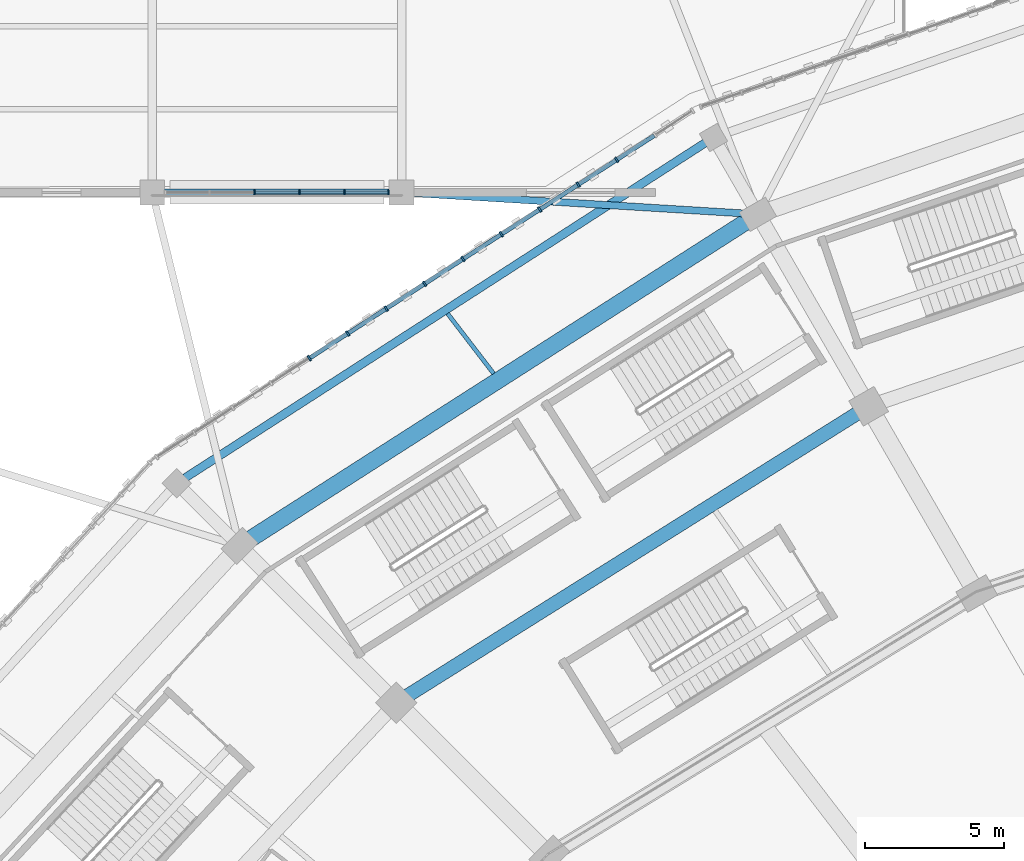
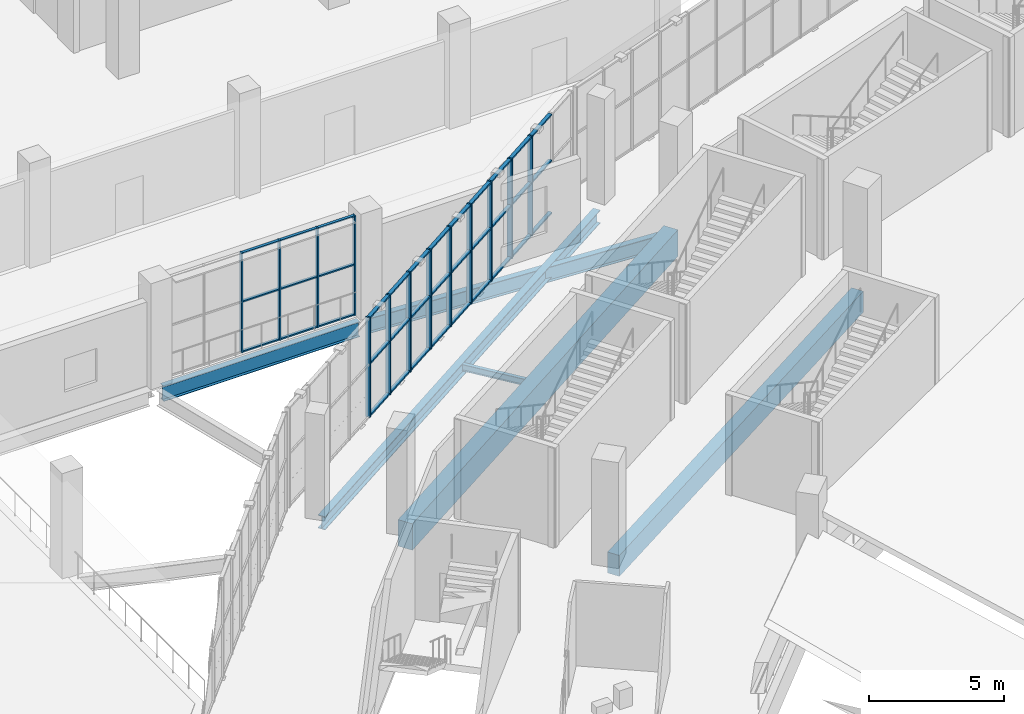
# One storey, part 48 of 183: 49 members, 6 beams, 2 elements without a shape of their own.
"""IFC4 building model written with IfcOpenShell, lengths in metres."""

from ifc_helpers import new_model, si_unit, direction, frame, origin, origin_2d, place, context, subcontext, project, spatial, rectangle, i_section, extrude, material, material_profile, profile_set, type_object, element, aggregate, save


model = new_model("IFC4")

# Units and contexts
model_context = context("Model", 3, precision=1e-05, world=origin(), true_north=direction((0.0, 1.0)))
body_context = subcontext(model_context, "Body", "Model", "MODEL_VIEW")
ifc_project = project(units=[si_unit("LENGTHUNIT", "METRE"), si_unit("AREAUNIT", "SQUARE_METRE"), si_unit("VOLUMEUNIT", "CUBIC_METRE"), si_unit("PLANEANGLEUNIT", "RADIAN"), si_unit("MASSUNIT", "GRAM", prefix="KILO")], contexts=[model_context])

# Site, building, storey
site_placement = place(None, origin())
site = spatial("IfcSite", under=ifc_project, at=site_placement, CompositionType="ELEMENT")
building_placement = place(site_placement, origin())
building = spatial("IfcBuilding", under=site, at=building_placement, Name="Zevraka Park Crest Stadium", CompositionType="ELEMENT")
storey_placement = place(building_placement, frame((0.0, 0.0, 5.39990234375)))
storey = spatial("IfcBuildingStorey", under=building, at=storey_placement, Name="L01", CompositionType="ELEMENT", Elevation=5.39990234375)

# Beams
ifc_material_1 = material(Name="Steel S355", Category="steel")
ifc_material_profile_1 = material_profile(ifc_material_1, i_section(OverallWidth=0.253662109375, OverallDepth=0.68359375, WebThickness=0.012451171875, FlangeThickness=0.01904296875, at=origin_2d()), Name="UKB 686x254x140")
ifc_profile_set_1 = profile_set([ifc_material_profile_1], Name="Steel S355")
beam_type_1 = type_object("IfcBeamType", Name="BG05", PredefinedType="BEAM", material=ifc_profile_set_1)
beam_1_placement = place(storey_placement, frame((45.300048828125, 158.0, -0.649658203125), z_axis=(1.0, 0.0, 0.0), x_axis=(0.0, 1.0, 0.0)))
element("IfcBeam", 1, at=beam_1_placement, inside=storey, type_object=beam_type_1, Name="Wing Girder BG05 L01-67/T", PredefinedType="BEAM", context=body_context, shape_type="SweptSolid", body=[
    extrude(i_section(OverallWidth=0.253662109375, OverallDepth=0.68359375, WebThickness=0.012451171875, FlangeThickness=0.01904296875, at=origin_2d()), origin(), (0.0, 0.0, 1.0), 8.39990234375),
])
beam_2_placement = place(storey_placement, frame((54.199951171875, 157.988037109375, -0.649658203125), z_axis=(0.998122867072, -0.061243303531, 0.0), x_axis=(0.061243303531, 0.998122867072, 0.0)))
element("IfcBeam", 2, at=beam_2_placement, inside=storey, type_object=beam_type_1, Name="Wing Link Girder BG05 L01-7/T", PredefinedType="BEAM", context=body_context, shape_type="SweptSolid", body=[
    extrude(i_section(OverallWidth=0.253662109375, OverallDepth=0.68359375, WebThickness=0.012451171875, FlangeThickness=0.01904296875, at=origin_2d()), origin(), (0.0, 0.0, 1.0), 12.294189453125),
])

# Curtain wall, members
ifc_material_2 = material(Name="Anodised architectural aluminium and laminated safety glass", Category="aluminium")
curtain_wall_type_1 = type_object("IfcCurtainWallType", Name="CW28", PredefinedType="NOTDEFINED", material=ifc_material_2)
curtain_wall_1_placement = place(storey_placement, origin())
curtain_wall_1 = element("IfcCurtainWall", 3, at=curtain_wall_1_placement, inside=storey, type_object=curtain_wall_type_1, Name="Wing Curtain Wall CW28 L01-NW-VER1-2", PredefinedType="NOTDEFINED")
ifc_material_3 = material(Name="Anodised architectural aluminium", Category="aluminium")
ifc_material_profile_2 = material_profile(ifc_material_3, rectangle(XDim=0.159912109375, YDim=0.06005859375, at=origin_2d()), Name="ALU MULLION 160x60")
ifc_profile_set_2 = profile_set([ifc_material_profile_2], Name="Anodised architectural aluminium")
member_type_1 = type_object("IfcMemberType", Name="CM01", PredefinedType="MULLION", material=ifc_profile_set_2)
member_1_placement = place(storey_placement, frame((53.530029296875, 158.0, 0.0), z_axis=(0.0, 0.0, 1.0), x_axis=(0.0, -1.0, 0.0)))
member_1 = element("IfcMember", 4, at=member_1_placement, type_object=member_type_1, Name="CW28 mullion 1", PredefinedType="MULLION", context=body_context, shape_type="SweptSolid", body=[
    extrude(rectangle(XDim=0.159912109375, YDim=0.06005859375, at=origin_2d()), origin(), (0.0, 0.0, 1.0), 4.52001953125),
])
member_2_placement = place(storey_placement, frame((51.93603515625, 158.0, 0.0), z_axis=(0.0, 0.0, 1.0), x_axis=(0.0, -1.0, 0.0)))
member_2 = element("IfcMember", 5, at=member_2_placement, type_object=member_type_1, Name="CW28 mullion 2", PredefinedType="MULLION", context=body_context, shape_type="SweptSolid", body=[
    extrude(rectangle(XDim=0.159912109375, YDim=0.06005859375, at=origin_2d()), origin(), (0.0, 0.0, 1.0), 4.52001953125),
])
member_3_placement = place(storey_placement, frame((50.31201171875, 158.0, 0.0), z_axis=(0.0, 0.0, 1.0), x_axis=(0.0, -1.0, 0.0)))
member_3 = element("IfcMember", 6, at=member_3_placement, type_object=member_type_1, Name="CW28 mullion 3", PredefinedType="MULLION", context=body_context, shape_type="SweptSolid", body=[
    extrude(rectangle(XDim=0.159912109375, YDim=0.06005859375, at=origin_2d()), origin(), (0.0, 0.0, 1.0), 4.52001953125),
])
member_4_placement = place(storey_placement, frame((48.68798828125, 158.0, 0.0), z_axis=(0.0, 0.0, 1.0), x_axis=(0.0, -1.0, 0.0)))
member_4 = element("IfcMember", 7, at=member_4_placement, type_object=member_type_1, Name="CW28 mullion 4", PredefinedType="MULLION", context=body_context, shape_type="SweptSolid", body=[
    extrude(rectangle(XDim=0.159912109375, YDim=0.06005859375, at=origin_2d()), origin(), (0.0, 0.0, 1.0), 4.52001953125),
])

ifc_material_4 = material(Name="Anodised architectural aluminium and laminated safety glass", Category="aluminium")
curtain_wall_type_2 = type_object("IfcCurtainWallType", Name="CW03", PredefinedType="NOTDEFINED", material=ifc_material_4)
curtain_wall_2_placement = place(storey_placement, origin())
curtain_wall_2 = element("IfcCurtainWall", 8, at=curtain_wall_2_placement, inside=storey, type_object=curtain_wall_type_2, Name="Unitised Ring Curtain Wall CW03 L01-08", PredefinedType="NOTDEFINED")
ifc_material_5 = material(Name="Anodised architectural aluminium", Category="aluminium")
ifc_material_profile_3 = material_profile(ifc_material_5, rectangle(XDim=0.199951171875, YDim=0.070068359375, at=origin_2d()), Name="ALU MULLION 200x70")
ifc_profile_set_3 = profile_set([ifc_material_profile_3], Name="Anodised architectural aluminium")
member_type_2 = type_object("IfcMemberType", Name="CM03", PredefinedType="MULLION", material=ifc_profile_set_3)
member_5_placement = place(storey_placement, frame((61.754638671875, 159.176025390625, 0.0), z_axis=(0.0, 0.0, 1.0), x_axis=(0.542570628938, -0.840010186018, 0.0)))
member_5 = element("IfcMember", 9, at=member_5_placement, type_object=member_type_2, Name="CW03 mullion 3", PredefinedType="MULLION", context=body_context, shape_type="SweptSolid", body=[
    extrude(rectangle(XDim=0.199951171875, YDim=0.070068359375, at=origin_2d()), origin(), (0.0, 0.0, 1.0), 4.52001953125),
])
member_6_placement = place(storey_placement, frame((60.369140625, 158.281005859375, 0.0), z_axis=(0.0, 0.0, 1.0), x_axis=(0.542570628938, -0.840010186018, 0.0)))
member_6 = element("IfcMember", 10, at=member_6_placement, type_object=member_type_2, Name="CW03 mullion 4", PredefinedType="MULLION", context=body_context, shape_type="SweptSolid", body=[
    extrude(rectangle(XDim=0.199951171875, YDim=0.070068359375, at=origin_2d()), origin(), (0.0, 0.0, 1.0), 4.52001953125),
])
member_7_placement = place(storey_placement, frame((58.9833984375, 157.385986328125, 0.0), z_axis=(0.0, 0.0, 1.0), x_axis=(0.542570628938, -0.840010186018, 0.0)))
member_7 = element("IfcMember", 11, at=member_7_placement, type_object=member_type_2, Name="CW03 mullion 5", PredefinedType="MULLION", context=body_context, shape_type="SweptSolid", body=[
    extrude(rectangle(XDim=0.199951171875, YDim=0.070068359375, at=origin_2d()), origin(), (0.0, 0.0, 1.0), 4.52001953125),
])
member_8_placement = place(storey_placement, frame((57.597900390625, 156.490966796875, 0.0), z_axis=(0.0, 0.0, 1.0), x_axis=(0.542570628938, -0.840010186018, 0.0)))
member_8 = element("IfcMember", 12, at=member_8_placement, type_object=member_type_2, Name="CW03 mullion 6", PredefinedType="MULLION", context=body_context, shape_type="SweptSolid", body=[
    extrude(rectangle(XDim=0.199951171875, YDim=0.070068359375, at=origin_2d()), origin(), (0.0, 0.0, 1.0), 4.52001953125),
])
member_9_placement = place(storey_placement, frame((56.212158203125, 155.595947265625, 0.0), z_axis=(0.0, 0.0, 1.0), x_axis=(0.542570628938, -0.840010186018, 0.0)))
member_9 = element("IfcMember", 13, at=member_9_placement, type_object=member_type_2, Name="CW03 mullion 7", PredefinedType="MULLION", context=body_context, shape_type="SweptSolid", body=[
    extrude(rectangle(XDim=0.199951171875, YDim=0.070068359375, at=origin_2d()), origin(), (0.0, 0.0, 1.0), 4.52001953125),
])
member_10_placement = place(storey_placement, frame((54.826416015625, 154.700927734375, 0.0), z_axis=(0.0, 0.0, 1.0), x_axis=(0.542570628938, -0.840010186018, 0.0)))
member_10 = element("IfcMember", 14, at=member_10_placement, type_object=member_type_2, Name="CW03 mullion 8", PredefinedType="MULLION", context=body_context, shape_type="SweptSolid", body=[
    extrude(rectangle(XDim=0.199951171875, YDim=0.070068359375, at=origin_2d()), origin(), (0.0, 0.0, 1.0), 4.52001953125),
])
member_11_placement = place(storey_placement, frame((53.44091796875, 153.805908203125, 0.0), z_axis=(0.0, 0.0, 1.0), x_axis=(0.542570628938, -0.840010186018, 0.0)))
member_11 = element("IfcMember", 15, at=member_11_placement, type_object=member_type_2, Name="CW03 mullion 9", PredefinedType="MULLION", context=body_context, shape_type="SweptSolid", body=[
    extrude(rectangle(XDim=0.199951171875, YDim=0.070068359375, at=origin_2d()), origin(), (0.0, 0.0, 1.0), 4.52001953125),
])
member_12_placement = place(storey_placement, frame((52.05517578125, 152.910888671875, 0.0), z_axis=(0.0, 0.0, 1.0), x_axis=(0.542570628938, -0.840010186018, 0.0)))
member_12 = element("IfcMember", 16, at=member_12_placement, type_object=member_type_2, Name="CW03 mullion 10", PredefinedType="MULLION", context=body_context, shape_type="SweptSolid", body=[
    extrude(rectangle(XDim=0.199951171875, YDim=0.070068359375, at=origin_2d()), origin(), (0.0, 0.0, 1.0), 4.52001953125),
])
member_13_placement = place(storey_placement, frame((50.669677734375, 152.01611328125, 0.0), z_axis=(0.0, 0.0, 1.0), x_axis=(0.542570628938, -0.840010186018, 0.0)))
member_13 = element("IfcMember", 17, at=member_13_placement, type_object=member_type_2, Name="CW03 mullion 11", PredefinedType="MULLION", context=body_context, shape_type="SweptSolid", body=[
    extrude(rectangle(XDim=0.199951171875, YDim=0.070068359375, at=origin_2d()), origin(), (0.0, 0.0, 1.0), 4.52001953125),
])

# Member
ifc_material_6 = material(Name="Anodised architectural aluminium", Category="aluminium")
ifc_material_profile_4 = material_profile(ifc_material_6, rectangle(XDim=0.1201171875, YDim=0.06005859375, at=origin_2d()), Name="ALU TRANSOM 120x60")
ifc_profile_set_4 = profile_set([ifc_material_profile_4], Name="Anodised architectural aluminium")
member_type_3 = type_object("IfcMemberType", Name="CT01", PredefinedType="USERDEFINED", material=ifc_profile_set_4)
member_14_placement = place(storey_placement, frame((53.5, 158.0, 0.030029296875), z_axis=(-1.0, 0.0, 0.0), x_axis=(0.0, -1.0, 0.0)))
member_14 = element("IfcMember", 18, at=member_14_placement, type_object=member_type_3, Name="CW28 transom 1.1", ObjectType="TRANSOM", PredefinedType="USERDEFINED", context=body_context, shape_type="SweptSolid", body=[
    extrude(rectangle(XDim=0.1201171875, YDim=0.06005859375, at=origin_2d()), origin(), (0.0, 0.0, 1.0), 1.533935546875),
])

member_15_placement = place(storey_placement, frame((53.5, 158.0, 2.300048828125), z_axis=(-1.0, 0.0, 0.0), x_axis=(0.0, -1.0, 0.0)))
member_15 = element("IfcMember", 19, at=member_15_placement, type_object=member_type_3, Name="CW28 transom 1.2", ObjectType="TRANSOM", PredefinedType="USERDEFINED", context=body_context, shape_type="SweptSolid", body=[
    extrude(rectangle(XDim=0.1201171875, YDim=0.06005859375, at=origin_2d()), origin(), (0.0, 0.0, 1.0), 1.533935546875),
])

member_16_placement = place(storey_placement, frame((53.5, 158.0, 4.489990234375), z_axis=(-1.0, 0.0, 0.0), x_axis=(0.0, -1.0, 0.0)))
member_16 = element("IfcMember", 20, at=member_16_placement, type_object=member_type_3, Name="CW28 transom 1.3", ObjectType="TRANSOM", PredefinedType="USERDEFINED", context=body_context, shape_type="SweptSolid", body=[
    extrude(rectangle(XDim=0.1201171875, YDim=0.06005859375, at=origin_2d()), origin(), (0.0, 0.0, 1.0), 1.533935546875),
])

member_17_placement = place(storey_placement, frame((51.906005859375, 158.0, 0.030029296875), z_axis=(-1.0, 0.0, 0.0), x_axis=(0.0, -1.0, 0.0)))
member_17 = element("IfcMember", 21, at=member_17_placement, type_object=member_type_3, Name="CW28 transom 2.1", ObjectType="TRANSOM", PredefinedType="USERDEFINED", context=body_context, shape_type="SweptSolid", body=[
    extrude(rectangle(XDim=0.1201171875, YDim=0.06005859375, at=origin_2d()), origin(), (0.0, 0.0, 1.0), 1.56396484375),
])

member_18_placement = place(storey_placement, frame((51.906005859375, 158.0, 2.300048828125), z_axis=(-1.0, 0.0, 0.0), x_axis=(0.0, -1.0, 0.0)))
member_18 = element("IfcMember", 22, at=member_18_placement, type_object=member_type_3, Name="CW28 transom 2.2", ObjectType="TRANSOM", PredefinedType="USERDEFINED", context=body_context, shape_type="SweptSolid", body=[
    extrude(rectangle(XDim=0.1201171875, YDim=0.06005859375, at=origin_2d()), origin(), (0.0, 0.0, 1.0), 1.56396484375),
])

member_19_placement = place(storey_placement, frame((51.906005859375, 158.0, 4.489990234375), z_axis=(-1.0, 0.0, 0.0), x_axis=(0.0, -1.0, 0.0)))
member_19 = element("IfcMember", 23, at=member_19_placement, type_object=member_type_3, Name="CW28 transom 2.3", ObjectType="TRANSOM", PredefinedType="USERDEFINED", context=body_context, shape_type="SweptSolid", body=[
    extrude(rectangle(XDim=0.1201171875, YDim=0.06005859375, at=origin_2d()), origin(), (0.0, 0.0, 1.0), 1.56396484375),
])

member_20_placement = place(storey_placement, frame((50.281982421875, 158.0, 0.030029296875), z_axis=(-1.0, 0.0, 0.0), x_axis=(0.0, -1.0, 0.0)))
member_20 = element("IfcMember", 24, at=member_20_placement, type_object=member_type_3, Name="CW28 transom 3.1", ObjectType="TRANSOM", PredefinedType="USERDEFINED", context=body_context, shape_type="SweptSolid", body=[
    extrude(rectangle(XDim=0.1201171875, YDim=0.06005859375, at=origin_2d()), origin(), (0.0, 0.0, 1.0), 1.56396484375),
])

member_21_placement = place(storey_placement, frame((50.281982421875, 158.0, 2.300048828125), z_axis=(-1.0, 0.0, 0.0), x_axis=(0.0, -1.0, 0.0)))
member_21 = element("IfcMember", 25, at=member_21_placement, type_object=member_type_3, Name="CW28 transom 3.2", ObjectType="TRANSOM", PredefinedType="USERDEFINED", context=body_context, shape_type="SweptSolid", body=[
    extrude(rectangle(XDim=0.1201171875, YDim=0.06005859375, at=origin_2d()), origin(), (0.0, 0.0, 1.0), 1.56396484375),
])

member_22_placement = place(storey_placement, frame((50.281982421875, 158.0, 4.489990234375), z_axis=(-1.0, 0.0, 0.0), x_axis=(0.0, -1.0, 0.0)))
member_22 = element("IfcMember", 26, at=member_22_placement, type_object=member_type_3, Name="CW28 transom 3.3", ObjectType="TRANSOM", PredefinedType="USERDEFINED", context=body_context, shape_type="SweptSolid", body=[
    extrude(rectangle(XDim=0.1201171875, YDim=0.06005859375, at=origin_2d()), origin(), (0.0, 0.0, 1.0), 1.56396484375),
])

aggregate(curtain_wall_1, [member_1, member_2, member_3, member_4, member_14, member_15, member_16, member_17, member_18, member_19, member_20, member_21, member_22])

ifc_material_7 = material(Name="Anodised architectural aluminium", Category="aluminium")
ifc_material_profile_5 = material_profile(ifc_material_7, rectangle(XDim=0.14990234375, YDim=0.070068359375, at=origin_2d()), Name="ALU TRANSOM 150x70")
ifc_profile_set_5 = profile_set([ifc_material_profile_5], Name="Anodised architectural aluminium")
member_type_4 = type_object("IfcMemberType", Name="CT03", PredefinedType="USERDEFINED", material=ifc_profile_set_5)
member_23_placement = place(storey_placement, frame((63.11083984375, 160.052001953125, 0.03515625), z_axis=(-0.840001215359, -0.542584517098, 0.0), x_axis=(0.542584517098, -0.840001215359, 0.0)))
member_23 = element("IfcMember", 27, at=member_23_placement, type_object=member_type_4, Name="CW03 transom 2.1", ObjectType="TRANSOM", PredefinedType="USERDEFINED", context=body_context, shape_type="SweptSolid", body=[
    extrude(rectangle(XDim=0.14990234375, YDim=0.070068359375, at=origin_2d()), origin(), (0.0, 0.0, 1.0), 1.579345703125),
])

member_24_placement = place(storey_placement, frame((63.11083984375, 160.052001953125, 2.400146484375), z_axis=(-0.840001215359, -0.542584517098, 0.0), x_axis=(0.542584517098, -0.840001215359, 0.0)))
member_24 = element("IfcMember", 28, at=member_24_placement, type_object=member_type_4, Name="CW03 transom 2.2", ObjectType="TRANSOM", PredefinedType="USERDEFINED", context=body_context, shape_type="SweptSolid", body=[
    extrude(rectangle(XDim=0.14990234375, YDim=0.070068359375, at=origin_2d()), origin(), (0.0, 0.0, 1.0), 1.579345703125),
])

member_25_placement = place(storey_placement, frame((63.11083984375, 160.052001953125, 4.485107421875), z_axis=(-0.840001215359, -0.542584517098, 0.0), x_axis=(0.542584517098, -0.840001215359, 0.0)))
member_25 = element("IfcMember", 29, at=member_25_placement, type_object=member_type_4, Name="CW03 transom 2.3", ObjectType="TRANSOM", PredefinedType="USERDEFINED", context=body_context, shape_type="SweptSolid", body=[
    extrude(rectangle(XDim=0.14990234375, YDim=0.070068359375, at=origin_2d()), origin(), (0.0, 0.0, 1.0), 1.579345703125),
])

member_26_placement = place(storey_placement, frame((61.725341796875, 159.156982421875, 0.03515625), z_axis=(-0.840046715264, -0.542514070024, 0.0), x_axis=(0.542514070024, -0.840046715264, 0.0)))
member_26 = element("IfcMember", 30, at=member_26_placement, type_object=member_type_4, Name="CW03 transom 3.1", ObjectType="TRANSOM", PredefinedType="USERDEFINED", context=body_context, shape_type="SweptSolid", body=[
    extrude(rectangle(XDim=0.14990234375, YDim=0.070068359375, at=origin_2d()), origin(), (0.0, 0.0, 1.0), 1.57958984375),
])

member_27_placement = place(storey_placement, frame((61.725341796875, 159.156982421875, 2.400146484375), z_axis=(-0.840046715264, -0.542514070024, 0.0), x_axis=(0.542514070024, -0.840046715264, 0.0)))
member_27 = element("IfcMember", 31, at=member_27_placement, type_object=member_type_4, Name="CW03 transom 3.2", ObjectType="TRANSOM", PredefinedType="USERDEFINED", context=body_context, shape_type="SweptSolid", body=[
    extrude(rectangle(XDim=0.14990234375, YDim=0.070068359375, at=origin_2d()), origin(), (0.0, 0.0, 1.0), 1.57958984375),
])

member_28_placement = place(storey_placement, frame((61.725341796875, 159.156982421875, 4.485107421875), z_axis=(-0.840046715264, -0.542514070024, 0.0), x_axis=(0.542514070024, -0.840046715264, 0.0)))
member_28 = element("IfcMember", 32, at=member_28_placement, type_object=member_type_4, Name="CW03 transom 3.3", ObjectType="TRANSOM", PredefinedType="USERDEFINED", context=body_context, shape_type="SweptSolid", body=[
    extrude(rectangle(XDim=0.14990234375, YDim=0.070068359375, at=origin_2d()), origin(), (0.0, 0.0, 1.0), 1.57958984375),
])

member_29_placement = place(storey_placement, frame((60.339599609375, 158.261962890625, 0.03515625), z_axis=(-0.840001215359, -0.542584517098, 0.0), x_axis=(0.542584517098, -0.840001215359, 0.0)))
member_29 = element("IfcMember", 33, at=member_29_placement, type_object=member_type_4, Name="CW03 transom 4.1", ObjectType="TRANSOM", PredefinedType="USERDEFINED", context=body_context, shape_type="SweptSolid", body=[
    extrude(rectangle(XDim=0.14990234375, YDim=0.070068359375, at=origin_2d()), origin(), (0.0, 0.0, 1.0), 1.579345703125),
])

member_30_placement = place(storey_placement, frame((60.339599609375, 158.261962890625, 2.400146484375), z_axis=(-0.840001215359, -0.542584517098, 0.0), x_axis=(0.542584517098, -0.840001215359, 0.0)))
member_30 = element("IfcMember", 34, at=member_30_placement, type_object=member_type_4, Name="CW03 transom 4.2", ObjectType="TRANSOM", PredefinedType="USERDEFINED", context=body_context, shape_type="SweptSolid", body=[
    extrude(rectangle(XDim=0.14990234375, YDim=0.070068359375, at=origin_2d()), origin(), (0.0, 0.0, 1.0), 1.579345703125),
])

member_31_placement = place(storey_placement, frame((60.339599609375, 158.261962890625, 4.485107421875), z_axis=(-0.840001215359, -0.542584517098, 0.0), x_axis=(0.542584517098, -0.840001215359, 0.0)))
member_31 = element("IfcMember", 35, at=member_31_placement, type_object=member_type_4, Name="CW03 transom 4.3", ObjectType="TRANSOM", PredefinedType="USERDEFINED", context=body_context, shape_type="SweptSolid", body=[
    extrude(rectangle(XDim=0.14990234375, YDim=0.070068359375, at=origin_2d()), origin(), (0.0, 0.0, 1.0), 1.579345703125),
])

member_32_placement = place(storey_placement, frame((58.9541015625, 157.366943359375, 0.03515625), z_axis=(-0.840046715264, -0.542514070024, 0.0), x_axis=(0.542514070024, -0.840046715264, 0.0)))
member_32 = element("IfcMember", 36, at=member_32_placement, type_object=member_type_4, Name="CW03 transom 5.1", ObjectType="TRANSOM", PredefinedType="USERDEFINED", context=body_context, shape_type="SweptSolid", body=[
    extrude(rectangle(XDim=0.14990234375, YDim=0.070068359375, at=origin_2d()), origin(), (0.0, 0.0, 1.0), 1.57958984375),
])

member_33_placement = place(storey_placement, frame((58.9541015625, 157.366943359375, 2.400146484375), z_axis=(-0.840046715264, -0.542514070024, 0.0), x_axis=(0.542514070024, -0.840046715264, 0.0)))
member_33 = element("IfcMember", 37, at=member_33_placement, type_object=member_type_4, Name="CW03 transom 5.2", ObjectType="TRANSOM", PredefinedType="USERDEFINED", context=body_context, shape_type="SweptSolid", body=[
    extrude(rectangle(XDim=0.14990234375, YDim=0.070068359375, at=origin_2d()), origin(), (0.0, 0.0, 1.0), 1.57958984375),
])

member_34_placement = place(storey_placement, frame((58.9541015625, 157.366943359375, 4.485107421875), z_axis=(-0.840046715264, -0.542514070024, 0.0), x_axis=(0.542514070024, -0.840046715264, 0.0)))
member_34 = element("IfcMember", 38, at=member_34_placement, type_object=member_type_4, Name="CW03 transom 5.3", ObjectType="TRANSOM", PredefinedType="USERDEFINED", context=body_context, shape_type="SweptSolid", body=[
    extrude(rectangle(XDim=0.14990234375, YDim=0.070068359375, at=origin_2d()), origin(), (0.0, 0.0, 1.0), 1.57958984375),
])

member_35_placement = place(storey_placement, frame((57.568359375, 156.471923828125, 0.03515625), z_axis=(-0.840046715264, -0.542514070024, 0.0), x_axis=(0.542514070024, -0.840046715264, 0.0)))
member_35 = element("IfcMember", 39, at=member_35_placement, type_object=member_type_4, Name="CW03 transom 6.1", ObjectType="TRANSOM", PredefinedType="USERDEFINED", context=body_context, shape_type="SweptSolid", body=[
    extrude(rectangle(XDim=0.14990234375, YDim=0.070068359375, at=origin_2d()), origin(), (0.0, 0.0, 1.0), 1.57958984375),
])

member_36_placement = place(storey_placement, frame((57.568359375, 156.471923828125, 2.400146484375), z_axis=(-0.840046715264, -0.542514070024, 0.0), x_axis=(0.542514070024, -0.840046715264, 0.0)))
member_36 = element("IfcMember", 40, at=member_36_placement, type_object=member_type_4, Name="CW03 transom 6.2", ObjectType="TRANSOM", PredefinedType="USERDEFINED", context=body_context, shape_type="SweptSolid", body=[
    extrude(rectangle(XDim=0.14990234375, YDim=0.070068359375, at=origin_2d()), origin(), (0.0, 0.0, 1.0), 1.57958984375),
])

member_37_placement = place(storey_placement, frame((57.568359375, 156.471923828125, 4.485107421875), z_axis=(-0.840046715264, -0.542514070024, 0.0), x_axis=(0.542514070024, -0.840046715264, 0.0)))
member_37 = element("IfcMember", 41, at=member_37_placement, type_object=member_type_4, Name="CW03 transom 6.3", ObjectType="TRANSOM", PredefinedType="USERDEFINED", context=body_context, shape_type="SweptSolid", body=[
    extrude(rectangle(XDim=0.14990234375, YDim=0.070068359375, at=origin_2d()), origin(), (0.0, 0.0, 1.0), 1.57958984375),
])

member_38_placement = place(storey_placement, frame((56.182861328125, 155.576904296875, 0.03515625), z_axis=(-0.840046715264, -0.542514070024, 0.0), x_axis=(0.542514070024, -0.840046715264, 0.0)))
member_38 = element("IfcMember", 42, at=member_38_placement, type_object=member_type_4, Name="CW03 transom 7.1", ObjectType="TRANSOM", PredefinedType="USERDEFINED", context=body_context, shape_type="SweptSolid", body=[
    extrude(rectangle(XDim=0.14990234375, YDim=0.070068359375, at=origin_2d()), origin(), (0.0, 0.0, 1.0), 1.57958984375),
])

member_39_placement = place(storey_placement, frame((56.182861328125, 155.576904296875, 2.400146484375), z_axis=(-0.840046715264, -0.542514070024, 0.0), x_axis=(0.542514070024, -0.840046715264, 0.0)))
member_39 = element("IfcMember", 43, at=member_39_placement, type_object=member_type_4, Name="CW03 transom 7.2", ObjectType="TRANSOM", PredefinedType="USERDEFINED", context=body_context, shape_type="SweptSolid", body=[
    extrude(rectangle(XDim=0.14990234375, YDim=0.070068359375, at=origin_2d()), origin(), (0.0, 0.0, 1.0), 1.57958984375),
])

member_40_placement = place(storey_placement, frame((56.182861328125, 155.576904296875, 4.485107421875), z_axis=(-0.840046715264, -0.542514070024, 0.0), x_axis=(0.542514070024, -0.840046715264, 0.0)))
member_40 = element("IfcMember", 44, at=member_40_placement, type_object=member_type_4, Name="CW03 transom 7.3", ObjectType="TRANSOM", PredefinedType="USERDEFINED", context=body_context, shape_type="SweptSolid", body=[
    extrude(rectangle(XDim=0.14990234375, YDim=0.070068359375, at=origin_2d()), origin(), (0.0, 0.0, 1.0), 1.57958984375),
])

member_41_placement = place(storey_placement, frame((54.797119140625, 154.68212890625, 0.03515625), z_axis=(-0.839976274256, -0.542623127675, 0.0), x_axis=(0.542623127675, -0.839976274256, 0.0)))
member_41 = element("IfcMember", 45, at=member_41_placement, type_object=member_type_4, Name="CW03 transom 8.1", ObjectType="TRANSOM", PredefinedType="USERDEFINED", context=body_context, shape_type="SweptSolid", body=[
    extrude(rectangle(XDim=0.14990234375, YDim=0.070068359375, at=origin_2d()), origin(), (0.0, 0.0, 1.0), 1.57958984375),
])

member_42_placement = place(storey_placement, frame((54.797119140625, 154.68212890625, 2.400146484375), z_axis=(-0.839976274256, -0.542623127675, 0.0), x_axis=(0.542623127675, -0.839976274256, 0.0)))
member_42 = element("IfcMember", 46, at=member_42_placement, type_object=member_type_4, Name="CW03 transom 8.2", ObjectType="TRANSOM", PredefinedType="USERDEFINED", context=body_context, shape_type="SweptSolid", body=[
    extrude(rectangle(XDim=0.14990234375, YDim=0.070068359375, at=origin_2d()), origin(), (0.0, 0.0, 1.0), 1.57958984375),
])

member_43_placement = place(storey_placement, frame((54.797119140625, 154.68212890625, 4.485107421875), z_axis=(-0.839976274256, -0.542623127675, 0.0), x_axis=(0.542623127675, -0.839976274256, 0.0)))
member_43 = element("IfcMember", 47, at=member_43_placement, type_object=member_type_4, Name="CW03 transom 8.3", ObjectType="TRANSOM", PredefinedType="USERDEFINED", context=body_context, shape_type="SweptSolid", body=[
    extrude(rectangle(XDim=0.14990234375, YDim=0.070068359375, at=origin_2d()), origin(), (0.0, 0.0, 1.0), 1.57958984375),
])

member_44_placement = place(storey_placement, frame((53.411376953125, 153.787109375, 0.03515625), z_axis=(-0.839930759874, -0.542693577092, 0.0), x_axis=(0.542693577092, -0.839930759874, 0.0)))
member_44 = element("IfcMember", 48, at=member_44_placement, type_object=member_type_4, Name="CW03 transom 9.1", ObjectType="TRANSOM", PredefinedType="USERDEFINED", context=body_context, shape_type="SweptSolid", body=[
    extrude(rectangle(XDim=0.14990234375, YDim=0.070068359375, at=origin_2d()), origin(), (0.0, 0.0, 1.0), 1.57958984375),
])

member_45_placement = place(storey_placement, frame((53.411376953125, 153.787109375, 2.400146484375), z_axis=(-0.839930759874, -0.542693577092, 0.0), x_axis=(0.542693577092, -0.839930759874, 0.0)))
member_45 = element("IfcMember", 49, at=member_45_placement, type_object=member_type_4, Name="CW03 transom 9.2", ObjectType="TRANSOM", PredefinedType="USERDEFINED", context=body_context, shape_type="SweptSolid", body=[
    extrude(rectangle(XDim=0.14990234375, YDim=0.070068359375, at=origin_2d()), origin(), (0.0, 0.0, 1.0), 1.57958984375),
])

member_46_placement = place(storey_placement, frame((53.411376953125, 153.787109375, 4.485107421875), z_axis=(-0.839930759874, -0.542693577092, 0.0), x_axis=(0.542693577092, -0.839930759874, 0.0)))
member_46 = element("IfcMember", 50, at=member_46_placement, type_object=member_type_4, Name="CW03 transom 9.3", ObjectType="TRANSOM", PredefinedType="USERDEFINED", context=body_context, shape_type="SweptSolid", body=[
    extrude(rectangle(XDim=0.14990234375, YDim=0.070068359375, at=origin_2d()), origin(), (0.0, 0.0, 1.0), 1.57958984375),
])

member_47_placement = place(storey_placement, frame((52.02587890625, 152.89208984375, 0.03515625), z_axis=(-0.839976274256, -0.542623127675, 0.0), x_axis=(0.542623127675, -0.839976274256, 0.0)))
member_47 = element("IfcMember", 51, at=member_47_placement, type_object=member_type_4, Name="CW03 transom 10.1", ObjectType="TRANSOM", PredefinedType="USERDEFINED", context=body_context, shape_type="SweptSolid", body=[
    extrude(rectangle(XDim=0.14990234375, YDim=0.070068359375, at=origin_2d()), origin(), (0.0, 0.0, 1.0), 1.57958984375),
])

member_48_placement = place(storey_placement, frame((52.02587890625, 152.89208984375, 2.400146484375), z_axis=(-0.839976274256, -0.542623127675, 0.0), x_axis=(0.542623127675, -0.839976274256, 0.0)))
member_48 = element("IfcMember", 52, at=member_48_placement, type_object=member_type_4, Name="CW03 transom 10.2", ObjectType="TRANSOM", PredefinedType="USERDEFINED", context=body_context, shape_type="SweptSolid", body=[
    extrude(rectangle(XDim=0.14990234375, YDim=0.070068359375, at=origin_2d()), origin(), (0.0, 0.0, 1.0), 1.57958984375),
])

member_49_placement = place(storey_placement, frame((52.02587890625, 152.89208984375, 4.485107421875), z_axis=(-0.839976274256, -0.542623127675, 0.0), x_axis=(0.542623127675, -0.839976274256, 0.0)))
member_49 = element("IfcMember", 53, at=member_49_placement, type_object=member_type_4, Name="CW03 transom 10.3", ObjectType="TRANSOM", PredefinedType="USERDEFINED", context=body_context, shape_type="SweptSolid", body=[
    extrude(rectangle(XDim=0.14990234375, YDim=0.070068359375, at=origin_2d()), origin(), (0.0, 0.0, 1.0), 1.57958984375),
])

aggregate(curtain_wall_2, [member_5, member_6, member_7, member_8, member_9, member_10, member_11, member_12, member_13, member_23, member_24, member_25, member_26, member_27, member_28, member_29, member_30, member_31, member_32, member_33, member_34, member_35, member_36, member_37, member_38, member_39, member_40, member_41, member_42, member_43, member_44, member_45, member_46, member_47, member_48, member_49])

# Beams
ifc_material_8 = material(Name="Concrete C40/50", Category="concrete")
ifc_material_profile_6 = material_profile(ifc_material_8, rectangle(XDim=0.60009765625, YDim=1.199951171875, at=origin_2d()), Name="RC 1200x600")
ifc_profile_set_6 = profile_set([ifc_material_profile_6], Name="Concrete C40/50")
beam_type_2 = type_object("IfcBeamType", Name="RB01", PredefinedType="BEAM", material=ifc_profile_set_6)
beam_3_placement = place(storey_placement, frame((66.530029296875, 157.007080078125, -0.60986328125), z_axis=(-0.842325571453, -0.538969045193, 0.0), x_axis=(0.538969045193, -0.842325571453, 0.0)))
element("IfcBeam", 54, at=beam_3_placement, inside=storey, type_object=beam_type_2, Name="Ring Beam RB01 L01-D-08", PredefinedType="BEAM", context=body_context, shape_type="SweptSolid", body=[
    extrude(rectangle(XDim=0.60009765625, YDim=1.199951171875, at=origin_2d()), origin(), (0.0, 0.0, 1.0), 21.443115234375),
])
ifc_material_9 = material(Name="Concrete C40/50", Category="concrete")
ifc_material_profile_7 = material_profile(ifc_material_9, rectangle(XDim=0.5, YDim=0.949951171875, at=origin_2d()), Name="RC 950x500")
ifc_profile_set_7 = profile_set([ifc_material_profile_7], Name="Concrete C40/50")
beam_type_3 = type_object("IfcBeamType", Name="RB02", PredefinedType="BEAM", material=ifc_profile_set_7)
beam_4_placement = place(storey_placement, frame((70.528076171875, 150.08203125, -0.48486328125), z_axis=(-0.847038516183, -0.531531515625, 0.0), x_axis=(0.531531515625, -0.847038516183, 0.0)))
element("IfcBeam", 55, at=beam_4_placement, inside=storey, type_object=beam_type_3, Name="Ring Beam RB02 L01-C-08", PredefinedType="BEAM", context=body_context, shape_type="SweptSolid", body=[
    extrude(rectangle(XDim=0.5, YDim=0.949951171875, at=origin_2d()), origin(), (0.0, 0.0, 1.0), 19.36279296875),
])
ifc_material_10 = material(Name="Steel S355", Category="steel")
ifc_material_profile_8 = material_profile(ifc_material_10, i_section(OverallWidth=0.300048828125, OverallDepth=0.60009765625, WebThickness=0.015380859375, FlangeThickness=0.030029296875, at=origin_2d()), Name="HEB 600")
ifc_profile_set_8 = profile_set([ifc_material_profile_8], Name="Steel S355")
beam_type_4 = type_object("IfcBeamType", Name="RB03", PredefinedType="BEAM", material=ifc_profile_set_8)
beam_5_placement = place(storey_placement, frame((64.9560546875, 159.79296875, -0.60498046875), z_axis=(-0.840676981124, -0.541536899396, 0.0), x_axis=(0.541536899396, -0.840676981124, 0.0)))
element("IfcBeam", 56, at=beam_5_placement, inside=storey, type_object=beam_type_4, Name="Ring Beam RB03 L01-E-08", PredefinedType="BEAM", context=body_context, shape_type="SweptSolid", body=[
    extrude(i_section(OverallWidth=0.300048828125, OverallDepth=0.60009765625, WebThickness=0.015380859375, FlangeThickness=0.030029296875, at=origin_2d()), origin(), (0.0, 0.0, 1.0), 22.33447265625),
])
ifc_material_11 = material(Name="Steel S355", Category="steel")
ifc_material_profile_9 = material_profile(ifc_material_11, i_section(OverallWidth=0.14990234375, OverallDepth=0.300048828125, WebThickness=0.007080078125, FlangeThickness=0.0107421875, at=origin_2d()), Name="IPE 300")
ifc_profile_set_9 = profile_set([ifc_material_profile_9], Name="Steel S355")
beam_type_5 = type_object("IfcBeamType", Name="SJ01", PredefinedType="JOIST", material=ifc_profile_set_9)
beam_6_placement = place(storey_placement, frame((57.319091796875, 151.462890625, -0.4580078125), z_axis=(-0.608829249804, 0.793301294959, 0.0), x_axis=(-0.793301294959, -0.608829249804, 0.0)))
element("IfcBeam", 57, at=beam_6_placement, inside=storey, type_object=beam_type_5, Name="Floor Joist SJ01 L01-DE-08-1", PredefinedType="JOIST", context=body_context, shape_type="SweptSolid", body=[
    extrude(i_section(OverallWidth=0.14990234375, OverallDepth=0.300048828125, WebThickness=0.007080078125, FlangeThickness=0.0107421875, at=origin_2d()), origin(), (0.0, 0.0, 1.0), 2.731689453125),
])

save(model, "model.ifc")
